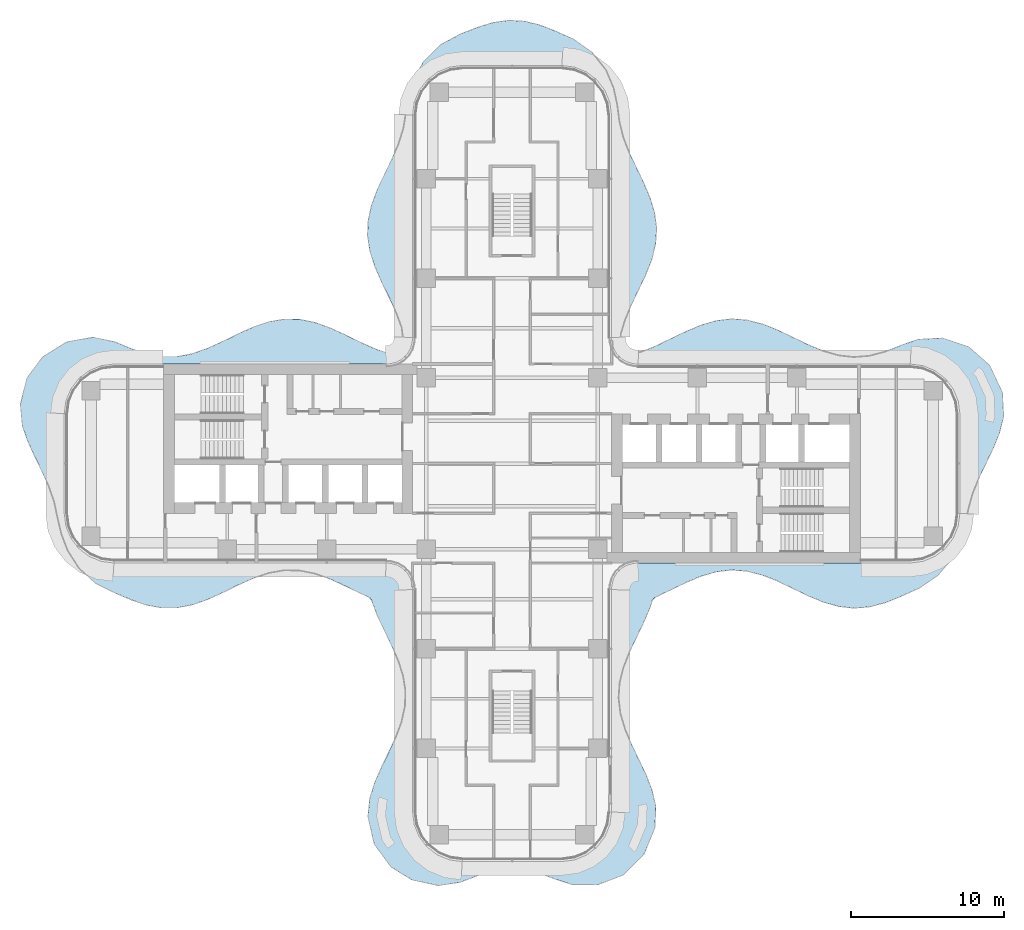
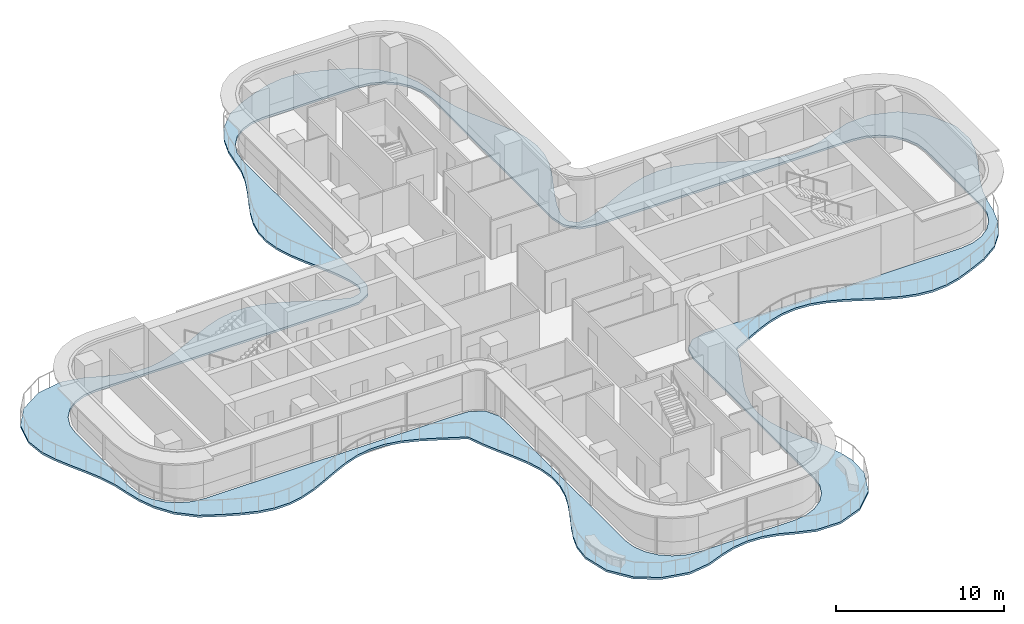
# One storey, part 10 of 18: 1 slab.
"""IFC4 building model written with IfcOpenShell, lengths in metres."""

from ifc_helpers import new_model, si_unit, direction, frame, origin, place, context, subcontext, project, spatial, polyline, outline, extrude, material, layer, layer_set, type_object, element, save


model = new_model("IFC4")

# Units and contexts
model_context = context("Model", 3, precision=1e-05, world=origin(), true_north=direction((0.0, 1.0)))
body_context = subcontext(model_context, "Body", "Model", "MODEL_VIEW")
ifc_project = project(units=[si_unit("LENGTHUNIT", "METRE"), si_unit("AREAUNIT", "SQUARE_METRE"), si_unit("VOLUMEUNIT", "CUBIC_METRE"), si_unit("PLANEANGLEUNIT", "RADIAN"), si_unit("MASSUNIT", "GRAM", prefix="KILO")], contexts=[model_context])

# Site, building, storey
site_placement = place(None, origin())
site = spatial("IfcSite", under=ifc_project, at=site_placement, CompositionType="ELEMENT")
building_placement = place(site_placement, origin())
building = spatial("IfcBuilding", under=site, at=building_placement, Name="Trellis Farm Tower", CompositionType="ELEMENT")
storey_placement = place(building_placement, frame((0.0, 0.0, 177.60009765625)))
storey = spatial("IfcBuildingStorey", under=building, at=storey_placement, Name="L38", CompositionType="ELEMENT", Elevation=177.60009765625)

# Slab
ifc_material = material(Name="Concrete C40/50", Category="concrete")
ifc_layer = layer(ifc_material, 0.14990234375)
ifc_layer_set = layer_set([ifc_layer], Name="Balcony slab 150")
slab_type = type_object("IfcSlabType", Name="Balcony slab 150", PredefinedType="FLOOR", material=ifc_layer_set)
slab_placement = place(storey_placement, frame((0.0, 0.0, -0.150146484375)))
element("IfcSlab", 1, at=slab_placement, inside=storey, type_object=slab_type, Name="Balcony slab", PredefinedType="FLOOR", context=body_context, shape_type="SweptSolid", body=[
    extrude(outline(polyline([(-9.36962890625, -8.718505859375), (-9.861083984375, -8.500244140625), (-9.866455078125, -8.497802734375), (-10.85546875, -8.01318359375), (-10.857177734375, -8.012451171875), (-11.842529296875, -7.55810546875), (-11.8486328125, -7.5556640625), (-12.877685546875, -7.1865234375), (-12.888427734375, -7.18359375), (-13.883056640625, -6.985107421875), (-13.896728515625, -6.983642578125), (-14.88232421875, -6.971435546875), (-14.89599609375, -6.97265625), (-15.875732421875, -7.14453125), (-15.88671875, -7.147216796875), (-16.8671875, -7.477294921875), (-16.873779296875, -7.479736328125), (-17.847412109375, -7.914794921875), (-17.849609375, -7.916015625), (-18.853759765625, -8.40771484375), (-18.857177734375, -8.409423828125), (-19.853759765625, -8.865478515625), (-19.8662109375, -8.870361328125), (-20.853759765625, -9.219970703125), (-20.875, -9.225830078125), (-21.853515625, -9.41748046875), (-21.881103515625, -9.420166015625), (-22.852294921875, -9.427978515625), (-22.8798828125, -9.425537109375), (-23.8505859375, -9.250732421875), (-23.87255859375, -9.2451171875), (-24.84912109375, -8.912353515625), (-24.859375, -8.908447265625), (-25.90185546875, -8.46630859375), (-25.909912109375, -8.462646484375), (-27.179443359375, -7.833251953125), (-27.21337890625, -7.81005859375), (-28.276611328125, -6.849853515625), (-28.302490234375, -6.8193359375), (-29.008544921875, -5.71337890625), (-29.022216796875, -5.686767578125), (-29.426025390625, -4.638916015625), (-29.431884765625, -4.61962890625), (-29.685791015625, -3.5556640625), (-29.686767578125, -3.551513671875), (-29.90185546875, -2.524169921875), (-29.904296875, -2.51513671875), (-30.24609375, -1.517333984375), (-30.248779296875, -1.510986328125), (-30.702392578125, -0.505615234375), (-30.703369140625, -0.50341796875), (-31.19287109375, 0.4951171875), (-31.19482421875, 0.499267578125), (-31.64111328125, 1.485107421875), (-31.646240234375, 1.497802734375), (-31.97998046875, 2.46142578125), (-31.987548828125, 2.496337890625), (-32.11474609375, 3.847412109375), (-32.11083984375, 3.89794921875), (-31.700439453125, 5.52978515625), (-31.6904296875, 5.5576171875), (-31.674072265625, 5.592041015625), (-31.65869140625, 5.6171875), (-30.676025390625, 6.935791015625), (-30.6572265625, 6.956787109375), (-30.63037109375, 6.9814453125), (-30.60791015625, 6.998291015625), (-29.107177734375, 7.9287109375), (-29.081298828125, 7.94140625), (-29.04638671875, 7.954833984375), (-29.0185546875, 7.96240234375), (-27.38427734375, 8.242431640625), (-27.35546875, 8.24462890625), (-27.318115234375, 8.24365234375), (-27.28955078125, 8.240234375), (-25.923828125, 7.942138671875), (-25.897216796875, 7.93359375), (-24.838134765625, 7.483642578125), (-24.832763671875, 7.481689453125), (-23.828369140625, 7.14404296875), (-23.817626953125, 7.141357421875), (-22.88916015625, 6.97607421875), (-22.87548828125, 6.974853515625), (-21.890380859375, 6.979736328125), (-21.87646484375, 6.981201171875), (-20.882080078125, 7.1728515625), (-20.87158203125, 7.17578125), (-19.8701171875, 7.528076171875), (-19.864013671875, 7.530517578125), (-18.8583984375, 7.989990234375), (-18.856689453125, 7.99072265625), (-17.853759765625, 8.482177734375), (-17.848876953125, 8.484619140625), (-16.869384765625, 8.922119140625), (-16.85595703125, 8.927490234375), (-15.87939453125, 9.255126953125), (-15.857421875, 9.2607421875), (-14.88671875, 9.428955078125), (-14.85888671875, 9.43115234375), (-13.887451171875, 9.416015625), (-13.860107421875, 9.4130859375), (-12.88134765625, 9.21484375), (-12.8603515625, 9.208984375), (-11.872314453125, 8.854248046875), (-11.8603515625, 8.849365234375), (-10.863525390625, 8.390625), (-10.8603515625, 8.38916015625), (-9.85595703125, 7.8974609375), (-9.853515625, 7.896240234375), (-8.878662109375, 7.463623046875), (-8.872802734375, 7.461181640625), (-8.093505859375, 7.193603515625), (-8.072509765625, 7.189453125), (-7.895751953125, 7.18212890625), (-7.87451171875, 7.184326171875), (-7.49169921875, 7.2802734375), (-7.476318359375, 7.285888671875), (-7.36181640625, 7.343505859375), (-7.336669921875, 7.364013671875), (-7.2578125, 7.46484375), (-7.2490234375, 7.478759765625), (-7.07666015625, 7.841064453125), (-7.070068359375, 7.864013671875), (-7.0458984375, 8.05859375), (-7.046630859375, 8.08251953125), (-7.209228515625, 8.87890625), (-7.21240234375, 8.8896484375), (-7.572021484375, 9.868408203125), (-7.57421875, 9.8740234375), (-8.031005859375, 10.85986328125), (-8.03173828125, 10.861328125), (-8.51904296875, 11.85693359375), (-8.521484375, 11.862548828125), (-8.952392578125, 12.84033203125), (-8.957763671875, 12.85498046875), (-9.281005859375, 13.85693359375), (-9.28662109375, 13.880126953125), (-9.43701171875, 14.8564453125), (-9.4384765625, 14.884765625), (-9.4033203125, 15.855224609375), (-9.39990234375, 15.8818359375), (-9.192138671875, 16.830078125), (-9.186279296875, 16.85009765625), (-8.81591796875, 17.852294921875), (-8.811279296875, 17.863525390625), (-8.351318359375, 18.850830078125), (-8.35009765625, 18.853515625), (-7.86669921875, 19.841552734375), (-7.865478515625, 19.844482421875), (-7.422119140625, 20.86279296875), (-7.419189453125, 20.8701171875), (-7.105712890625, 21.869140625), (-7.10302734375, 21.879638671875), (-6.75732421875, 24.001953125), (-6.751953125, 24.02392578125), (-6.392822265625, 25.133544921875), (-6.381591796875, 25.159423828125), (-5.802978515625, 26.215576171875), (-5.778076171875, 26.2490234375), (-4.723876953125, 27.313720703125), (-4.68896484375, 27.340087890625), (-3.39892578125, 28.041259765625), (-3.381591796875, 28.04931640625), (-2.247314453125, 28.48876953125), (-2.23779296875, 28.4921875), (-1.24658203125, 28.79931640625), (-1.222900390625, 28.8046875), (-0.247314453125, 28.941162109375), (-0.218994140625, 28.9423828125), (0.751220703125, 28.892822265625), (0.77783203125, 28.888916015625), (1.749755859375, 28.66162109375), (1.76904296875, 28.65576171875), (2.748046875, 28.282958984375), (2.75634765625, 28.27978515625), (3.97998046875, 27.7294921875), (4.004638671875, 27.715576171875), (5.210205078125, 26.871337890625), (5.241943359375, 26.84130859375), (6.124755859375, 25.720703125), (6.145263671875, 25.686279296875), (6.624755859375, 24.55078125), (6.63330078125, 24.52392578125), (6.868408203125, 23.42333984375), (6.87060546875, 23.41162109375), (7.013671875, 22.333984375), (7.01513671875, 22.326171875), (7.255859375, 21.33154296875), (7.2587890625, 21.322265625), (7.6376953125, 20.340576171875), (7.64013671875, 20.335205078125), (8.58837890625, 18.35791015625), (8.591064453125, 18.35205078125), (9.010986328125, 17.368408203125), (9.0166015625, 17.352783203125), (9.310791015625, 16.378173828125), (9.31591796875, 16.3544921875), (9.443115234375, 15.384521484375), (9.444091796875, 15.355712890625), (9.381103515625, 14.352783203125), (9.377197265625, 14.326171875), (9.13720703125, 13.35400390625), (9.13134765625, 13.33544921875), (8.7490234375, 12.355712890625), (8.744384765625, 12.34521484375), (7.795166015625, 10.367431640625), (7.793701171875, 10.3642578125), (7.376953125, 9.380126953125), (7.374267578125, 9.372314453125), (7.091796875, 8.43310546875), (7.08935546875, 8.420654296875), (7.07666015625, 8.317138671875), (7.076171875, 8.3046875), (7.10107421875, 7.756591796875), (7.103515625, 7.7412109375), (7.13427734375, 7.622802734375), (7.148193359375, 7.59521484375), (7.224609375, 7.499755859375), (7.23583984375, 7.48876953125), (7.5009765625, 7.272216796875), (7.513916015625, 7.263671875), (7.619873046875, 7.20849609375), (7.648681640625, 7.200439453125), (7.767333984375, 7.192138671875), (7.783935546875, 7.19287109375), (8.40771484375, 7.2880859375), (8.42431640625, 7.292724609375), (9.368896484375, 7.67138671875), (9.37353515625, 7.67333984375), (11.351806640625, 8.623779296875), (11.35888671875, 8.626953125), (12.341552734375, 9.0390625), (12.357666015625, 9.044677734375), (13.331787109375, 9.327392578125), (13.356201171875, 9.332275390625), (14.326171875, 9.445556640625), (14.354736328125, 9.446044921875), (15.327880859375, 9.37353515625), (15.353759765625, 9.369384765625), (16.33544921875, 9.11865234375), (16.353759765625, 9.11279296875), (17.35498046875, 8.71484375), (17.364501953125, 8.710693359375), (19.342041015625, 7.760009765625), (19.345703125, 7.75830078125), (20.3291015625, 7.349609375), (20.337158203125, 7.3466796875), (21.31689453125, 7.067138671875), (21.3291015625, 7.064697265625), (22.309814453125, 6.95458984375), (22.32421875, 6.95458984375), (23.312744140625, 7.0322265625), (23.32568359375, 7.034423828125), (24.322998046875, 7.292724609375), (24.33203125, 7.295654296875), (25.348876953125, 7.7021484375), (25.355712890625, 7.70458984375), (26.52001953125, 8.106201171875), (26.56103515625, 8.1142578125), (28.082275390625, 8.194580078125), (28.110595703125, 8.193603515625), (28.14599609375, 8.188720703125), (28.1728515625, 8.182373046875), (29.746337890625, 7.657470703125), (29.773681640625, 7.645263671875), (29.806884765625, 7.626220703125), (29.8310546875, 7.60888671875), (31.18212890625, 6.426513671875), (31.20361328125, 6.4033203125), (31.227783203125, 6.370849609375), (31.243896484375, 6.34375), (32.01318359375, 4.669677734375), (32.0224609375, 4.642578125), (32.031494140625, 4.606201171875), (32.035400390625, 4.577880859375), (32.10498046875, 3.075927734375), (32.1005859375, 3.031982421875), (31.842529296875, 2.019287109375), (31.836181640625, 2.0), (31.429931640625, 0.998779296875), (31.42626953125, 0.989990234375), (30.47509765625, -0.9873046875), (30.473388671875, -0.99169921875), (30.07275390625, -1.97412109375), (30.069580078125, -1.982666015625), (29.796875, -2.98681640625), (29.79541015625, -2.99267578125), (29.5908203125, -4.08837890625), (29.586669921875, -4.104736328125), (29.251220703125, -5.199951171875), (29.239990234375, -5.2265625), (28.66552734375, -6.302978515625), (28.646728515625, -6.330322265625), (27.802490234375, -7.309326171875), (27.7734375, -7.335205078125), (26.593017578125, -8.142333984375), (26.569091796875, -8.15576171875), (25.35302734375, -8.69580078125), (25.34814453125, -8.69775390625), (24.346923828125, -9.099853515625), (24.3291015625, -9.105712890625), (23.34716796875, -9.362548828125), (23.321533203125, -9.366943359375), (22.34814453125, -9.44677734375), (22.319580078125, -9.4462890625), (21.349609375, -9.340087890625), (21.324951171875, -9.335205078125), (20.35107421875, -9.05859375), (20.33447265625, -9.052734375), (19.352294921875, -8.644775390625), (19.3447265625, -8.641357421875), (17.367431640625, -7.69091796875), (17.36279296875, -7.688720703125), (16.33837890625, -7.28271484375), (16.3291015625, -7.27978515625), (15.33203125, -7.02783203125), (15.319091796875, -7.02587890625), (14.330810546875, -6.955078125), (14.316650390625, -6.95556640625), (13.3359375, -7.072509765625), (13.32373046875, -7.074951171875), (12.34423828125, -7.3603515625), (12.336181640625, -7.36328125), (11.352783203125, -7.77587890625), (11.349365234375, -7.777587890625), (9.358642578125, -8.7333984375), (9.34765625, -8.739990234375), (9.2470703125, -8.811767578125), (9.225830078125, -8.835205078125), (9.162353515625, -8.946044921875), (9.15576171875, -8.9609375), (9.031005859375, -9.359619140625), (9.02587890625, -9.373291015625), (8.61279296875, -10.35009765625), (8.60986328125, -10.356689453125), (7.656982421875, -12.34228515625), (7.65478515625, -12.347412109375), (7.27099609375, -13.329345703125), (7.268310546875, -13.33837890625), (7.02490234375, -14.31787109375), (7.02294921875, -14.330810546875), (6.95556640625, -15.31298828125), (6.955810546875, -15.3271484375), (7.0771484375, -16.31787109375), (7.07958984375, -16.330078125), (7.388427734375, -17.36572265625), (7.391357421875, -17.373779296875), (7.8115234375, -18.357421875), (7.812744140625, -18.3603515625), (8.76123046875, -20.338134765625), (8.76611328125, -20.34912109375), (9.150390625, -21.35009765625), (9.156494140625, -21.3701171875), (9.384521484375, -22.35205078125), (9.38818359375, -22.391845703125), (9.33544921875, -23.743408203125), (9.332275390625, -23.76953125), (9.324951171875, -23.802978515625), (9.31689453125, -23.828369140625), (8.615966796875, -25.5302734375), (8.601318359375, -25.557373046875), (8.578857421875, -25.59033203125), (8.55908203125, -25.614013671875), (7.27587890625, -26.851806640625), (7.252197265625, -26.87060546875), (7.218994140625, -26.8916015625), (7.19189453125, -26.9052734375), (5.608154296875, -27.5048828125), (5.581298828125, -27.51220703125), (5.54638671875, -27.5185546875), (5.517822265625, -27.520751953125), (3.947021484375, -27.5), (3.902587890625, -27.492431640625), (2.7548828125, -27.118896484375), (2.74853515625, -27.11669921875), (1.72998046875, -26.73291015625), (1.720703125, -26.72998046875), (0.78662109375, -26.512939453125), (0.773681640625, -26.510986328125), (-0.208984375, -26.4580078125), (-0.2236328125, -26.458740234375), (-1.269775390625, -26.6064453125), (-1.28173828125, -26.609130859375), (-2.2578125, -26.915283203125), (-2.2626953125, -26.9169921875), (-3.33837890625, -27.338623046875), (-3.37060546875, -27.34716796875), (-4.771240234375, -27.561279296875), (-4.79833984375, -27.56298828125), (-4.8330078125, -27.56201171875), (-4.860595703125, -27.55859375), (-6.511962890625, -27.19775390625), (-6.55908203125, -27.1787109375), (-7.9033203125, -26.345703125), (-7.92626953125, -26.328125), (-7.953857421875, -26.302734375), (-7.972900390625, -26.281005859375), (-8.969482421875, -24.910400390625), (-8.984619140625, -24.884765625), (-9.00048828125, -24.85009765625), (-9.01025390625, -24.8212890625), (-9.40966796875, -23.096435546875), (-9.41259765625, -23.047607421875), (-9.29541015625, -21.881591796875), (-9.2890625, -21.8515625), (-8.979248046875, -20.865478515625), (-8.9736328125, -20.850341796875), (-8.536865234375, -19.849609375), (-8.5341796875, -19.843505859375), (-8.05029296875, -18.854248046875), (-8.0498046875, -18.85302734375), (-7.590576171875, -17.866943359375), (-7.588134765625, -17.861572265625), (-7.222900390625, -16.88037109375), (-7.219970703125, -16.8701171875), (-6.994140625, -15.827880859375), (-6.99267578125, -15.814208984375), (-6.9658203125, -14.828125), (-6.966796875, -14.814208984375), (-7.125, -13.834228515625), (-7.127685546875, -13.822998046875), (-7.434326171875, -12.876220703125), (-7.43701171875, -12.869140625), (-7.877685546875, -11.864501953125), (-7.87890625, -11.861572265625), (-8.370361328125, -10.85693359375), (-8.37158203125, -10.854248046875), (-8.827392578125, -9.870361328125), (-8.832275390625, -9.85888671875), (-9.173583984375, -8.92822265625), (-9.179931640625, -8.914794921875), (-9.2412109375, -8.815185546875), (-9.261474609375, -8.793701171875), (-9.356689453125, -8.725830078125), (-9.36962890625, -8.718505859375)]), holes=[polyline([(-7.816650390625, -6.56640625), (-7.064453125, -6.959228515625), (-7.02783203125, -6.986083984375), (-6.988037109375, -7.02587890625), (-6.961181640625, -7.0625), (-6.5673828125, -7.81396484375), (-6.555419921875, -7.8447265625), (-6.54443359375, -7.885498046875), (-6.539306640625, -7.918212890625), (-6.50048828125, -8.84814453125), (-6.50048828125, -22.75), (-6.389892578125, -23.59130859375), (-6.065185546875, -24.375244140625), (-5.548583984375, -25.048583984375), (-4.875244140625, -25.565185546875), (-4.09130859375, -25.889892578125), (-3.25, -26.00048828125), (3.25, -26.00048828125), (4.09130859375, -25.889892578125), (4.875244140625, -25.565185546875), (5.548583984375, -25.048583984375), (6.065185546875, -24.375244140625), (6.389892578125, -23.59130859375), (6.50048828125, -22.75), (6.50048828125, -8.386962890625), (6.503173828125, -8.362548828125), (6.68798828125, -7.46533203125), (6.702880859375, -7.424072265625), (6.728515625, -7.376953125), (6.75439453125, -7.34228515625), (7.344482421875, -6.753173828125), (7.379150390625, -6.727294921875), (7.426513671875, -6.70166015625), (7.4677734375, -6.686767578125), (8.365234375, -6.5029296875), (8.389404296875, -6.50048828125), (26.0, -6.50048828125), (26.84130859375, -6.389892578125), (27.625244140625, -6.065185546875), (28.298583984375, -5.548583984375), (28.815185546875, -4.875244140625), (29.139892578125, -4.09130859375), (29.25048828125, -3.25), (29.25048828125, 3.25), (29.139892578125, 4.09130859375), (28.815185546875, 4.875244140625), (28.298583984375, 5.548583984375), (27.625244140625, 6.065185546875), (26.84130859375, 6.389892578125), (26.0, 6.50048828125), (8.389404296875, 6.50048828125), (8.365234375, 6.5029296875), (7.4677734375, 6.686767578125), (7.426513671875, 6.70166015625), (7.379150390625, 6.727294921875), (7.344482421875, 6.753173828125), (6.75439453125, 7.34228515625), (6.728515625, 7.376953125), (6.702880859375, 7.424072265625), (6.68798828125, 7.46533203125), (6.503173828125, 8.362548828125), (6.50048828125, 8.386962890625), (6.50048828125, 22.75), (6.389892578125, 23.59130859375), (6.065185546875, 24.375244140625), (5.548583984375, 25.048583984375), (4.875244140625, 25.565185546875), (4.09130859375, 25.889892578125), (3.25, 26.00048828125), (-3.25, 26.00048828125), (-4.09130859375, 25.889892578125), (-4.875244140625, 25.565185546875), (-5.548583984375, 25.048583984375), (-6.065185546875, 24.375244140625), (-6.389892578125, 23.59130859375), (-6.50048828125, 22.75), (-6.50048828125, 8.844482421875), (-6.539306640625, 7.918212890625), (-6.544189453125, 7.8857421875), (-6.555419921875, 7.8447265625), (-6.5673828125, 7.81396484375), (-6.961181640625, 7.0625), (-6.988037109375, 7.02587890625), (-7.02783203125, 6.986083984375), (-7.064453125, 6.959228515625), (-7.816650390625, 6.56640625), (-7.847412109375, 6.5546875), (-7.88818359375, 6.543701171875), (-7.9208984375, 6.538818359375), (-8.84716796875, 6.50048828125), (-26.0, 6.50048828125), (-26.84130859375, 6.389892578125), (-27.625244140625, 6.065185546875), (-28.298583984375, 5.548583984375), (-28.815185546875, 4.875244140625), (-29.139892578125, 4.09130859375), (-29.25048828125, 3.25), (-29.25048828125, -3.25), (-29.139892578125, -4.09130859375), (-28.815185546875, -4.875244140625), (-28.298583984375, -5.548583984375), (-27.625244140625, -6.065185546875), (-26.84130859375, -6.389892578125), (-26.0, -6.50048828125), (-8.8505859375, -6.50048828125), (-7.9208984375, -6.538818359375), (-7.88818359375, -6.543701171875), (-7.847412109375, -6.5546875), (-7.816650390625, -6.56640625)])]), origin(), (0.0, 0.0, 1.0), 0.150146484375),
])

save(model, "model.ifc")
